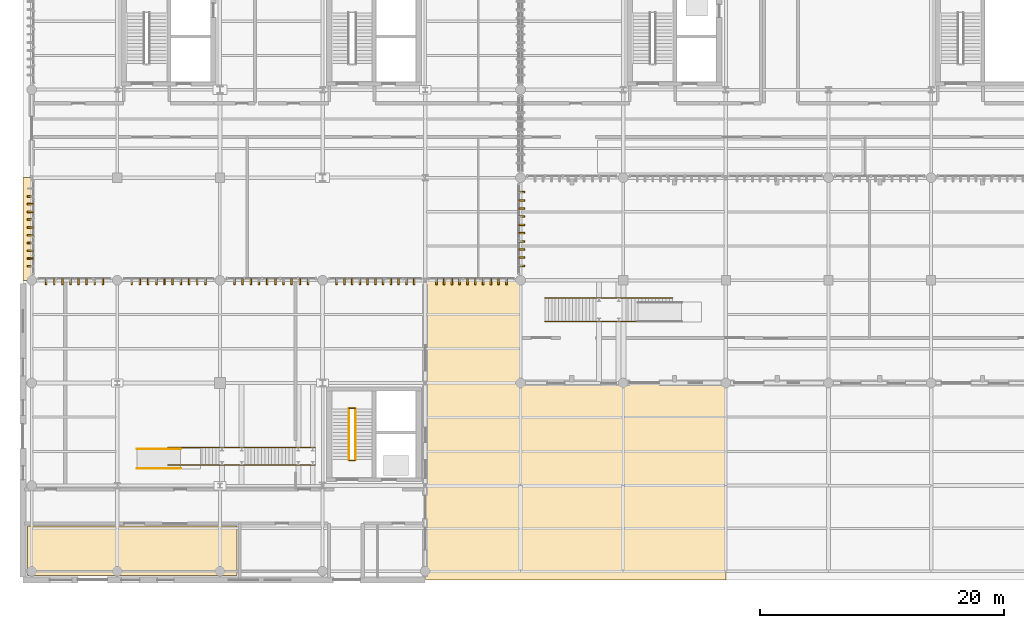
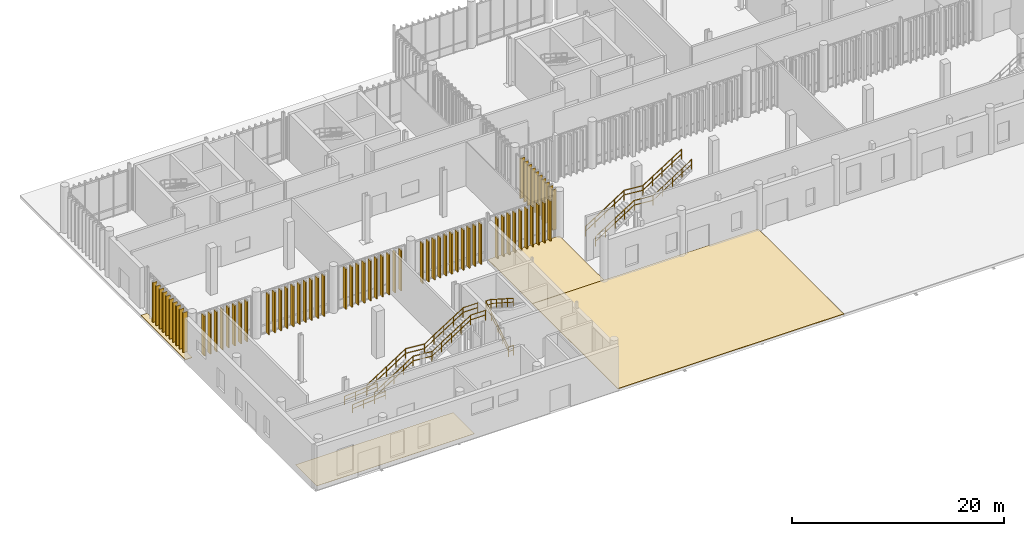
# One storey, part 102 of 112: 73 coverings, 10 railings, 3 elements without a shape of their own.
"""IFC4 building model written with IfcOpenShell, lengths in metres."""

from ifc_helpers import new_model, si_unit, direction, frame, frame_2d, origin_with_axes, origin_2d_with_axis, place, context, subcontext, project, spatial, polyline, rectangle, circle, outline, extrude, material, type_object, element, aggregate, save


model = new_model("IFC4")

# Units and contexts
model_context = context("Model", 3, precision=1e-05, world=origin_with_axes(), true_north=direction((0.0, 1.0)))
body_context = subcontext(model_context, "Body", "Model", "MODEL_VIEW")
ifc_project = project(units=[si_unit("LENGTHUNIT", "METRE"), si_unit("AREAUNIT", "SQUARE_METRE"), si_unit("VOLUMEUNIT", "CUBIC_METRE"), si_unit("PLANEANGLEUNIT", "RADIAN"), si_unit("MASSUNIT", "GRAM", prefix="KILO"), si_unit("THERMODYNAMICTEMPERATUREUNIT", "KELVIN")], contexts=[model_context])

# Site, building, storey
site_placement = place(None, origin_with_axes())
site = spatial("IfcSite", under=ifc_project, at=site_placement, CompositionType="ELEMENT")
building_placement = place(site_placement, origin_with_axes())
building = spatial("IfcBuilding", under=site, at=building_placement, Name="Montbau Bow Law Courts", CompositionType="ELEMENT")
storey_placement = place(building_placement, origin_with_axes())
storey = spatial("IfcBuildingStorey", under=building, at=storey_placement, Name="L00", CompositionType="ELEMENT", Elevation=0.0)

# Coverings
ifc_material_1 = material(Name="Honed Manitoba Tyndall Limestone Concourse Flooring", Category="masonry")
covering_type_1 = type_object("IfcCoveringType", Name="CV-FLR-01", PredefinedType="FLOORING", material=ifc_material_1)
covering_1_placement = place(None, origin_with_axes())
element("IfcCovering", 1, at=covering_1_placement, inside=storey, type_object=covering_type_1, Name="FLR-L00-01:cov_3536", PredefinedType="FLOORING", context=body_context, shape_type="SweptSolid", body=[
    extrude(outline(polyline([(6.45, 6.45), (6.45, 10.49), (23.599, 10.49), (23.599, 6.45), (6.45, 6.45)])), origin_with_axes(), (0.0, 0.0, 1.0), 0.025),
])
ifc_material_2 = material(Name="Freeze-Thaw Glazed Terracotta-Red Ceramic Vertical Louvre", Category="masonry")
covering_type_2 = type_object("IfcCoveringType", Name="CV-LVR-RED", PredefinedType="CLADDING", material=ifc_material_2)
for number, where, z_axis, x_axis, name in (
    (2, (7.978, 30.73, 0.0), (-1.0, 0.0, 0.0), (0.0, -1.0, 0.0), "CLV-L00-0001:cov_0046"),
    (3, (8.642, 30.73, 0.0), (-1.0, 0.0, 0.0), (0.0, -1.0, 0.0), "CLV-L00-0002:cov_0047"),
    (4, (9.305, 30.73, 0.0), (-1.0, 0.0, 0.0), (0.0, -1.0, 0.0), "CLV-L00-0003:cov_0048"),
    (5, (9.968, 30.73, 0.0), (-1.0, 0.0, 0.0), (0.0, -1.0, 0.0), "CLV-L00-0004:cov_0049"),
    (6, (10.632, 30.73, 0.0), (-1.0, 0.0, 0.0), (0.0, -1.0, 0.0), "CLV-L00-0005:cov_0050"),
    (7, (11.295, 30.73, 0.0), (-1.0, 0.0, 0.0), (0.0, -1.0, 0.0), "CLV-L00-0006:cov_0051"),
    (8, (11.958, 30.73, 0.0), (-1.0, 0.0, 0.0), (0.0, -1.0, 0.0), "CLV-L00-0007:cov_0052"),
    (9, (12.622, 30.73, 0.0), (-1.0, 0.0, 0.0), (0.0, -1.0, 0.0), "CLV-L00-0008:cov_0053"),
    (10, (14.985, 30.73, 0.0), (-1.0, 0.0, 0.0), (0.0, -1.0, 0.0), "CLV-L00-0009:cov_0054"),
    (11, (15.655, 30.73, 0.0), (-1.0, 0.0, 0.0), (0.0, -1.0, 0.0), "CLV-L00-0010:cov_0055"),
    (12, (16.325, 30.73, 0.0), (-1.0, 0.0, 0.0), (0.0, -1.0, 0.0), "CLV-L00-0011:cov_0056"),
    (13, (16.995, 30.73, 0.0), (-1.0, 0.0, 0.0), (0.0, -1.0, 0.0), "CLV-L00-0012:cov_0057"),
    (14, (17.665, 30.73, 0.0), (-1.0, 0.0, 0.0), (0.0, -1.0, 0.0), "CLV-L00-0013:cov_0058"),
    (15, (18.335, 30.73, 0.0), (-1.0, 0.0, 0.0), (0.0, -1.0, 0.0), "CLV-L00-0014:cov_0059"),
    (16, (19.005, 30.73, 0.0), (-1.0, 0.0, 0.0), (0.0, -1.0, 0.0), "CLV-L00-0015:cov_0060"),
    (17, (19.675, 30.73, 0.0), (-1.0, 0.0, 0.0), (0.0, -1.0, 0.0), "CLV-L00-0016:cov_0061"),
    (18, (20.345, 30.73, 0.0), (-1.0, 0.0, 0.0), (0.0, -1.0, 0.0), "CLV-L00-0017:cov_0062"),
    (19, (21.015, 30.73, 0.0), (-1.0, 0.0, 0.0), (0.0, -1.0, 0.0), "CLV-L00-0018:cov_0063"),
    (20, (23.385, 30.73, 0.0), (-1.0, 0.0, 0.0), (0.0, -1.0, 0.0), "CLV-L00-0019:cov_0064"),
    (21, (24.055, 30.73, 0.0), (-1.0, 0.0, 0.0), (0.0, -1.0, 0.0), "CLV-L00-0020:cov_0065"),
    (22, (24.725, 30.73, 0.0), (-1.0, 0.0, 0.0), (0.0, -1.0, 0.0), "CLV-L00-0021:cov_0066"),
    (23, (25.395, 30.73, 0.0), (-1.0, 0.0, 0.0), (0.0, -1.0, 0.0), "CLV-L00-0022:cov_0067"),
    (24, (26.065, 30.73, 0.0), (-1.0, 0.0, 0.0), (0.0, -1.0, 0.0), "CLV-L00-0023:cov_0068"),
    (25, (26.735, 30.73, 0.0), (-1.0, 0.0, 0.0), (0.0, -1.0, 0.0), "CLV-L00-0024:cov_0069"),
    (26, (27.405, 30.73, 0.0), (-1.0, 0.0, 0.0), (0.0, -1.0, 0.0), "CLV-L00-0025:cov_0070"),
    (27, (28.075, 30.73, 0.0), (-1.0, 0.0, 0.0), (0.0, -1.0, 0.0), "CLV-L00-0026:cov_0071"),
    (28, (28.745, 30.73, 0.0), (-1.0, 0.0, 0.0), (0.0, -1.0, 0.0), "CLV-L00-0027:cov_0072"),
    (29, (29.415, 30.73, 0.0), (-1.0, 0.0, 0.0), (0.0, -1.0, 0.0), "CLV-L00-0028:cov_0073"),
    (30, (31.75, 30.73, 0.0), (-1.0, 0.0, 0.0), (0.0, -1.0, 0.0), "CLV-L00-0029:cov_0074"),
    (31, (32.385, 30.73, 0.0), (-1.0, 0.0, 0.0), (0.0, -1.0, 0.0), "CLV-L00-0030:cov_0075"),
    (32, (33.019, 30.73, 0.0), (-1.0, 0.0, 0.0), (0.0, -1.0, 0.0), "CLV-L00-0031:cov_0076"),
    (33, (33.654, 30.73, 0.0), (-1.0, 0.0, 0.0), (0.0, -1.0, 0.0), "CLV-L00-0032:cov_0077"),
    (34, (34.289, 30.73, 0.0), (-1.0, 0.0, 0.0), (0.0, -1.0, 0.0), "CLV-L00-0033:cov_0078"),
    (35, (34.924, 30.73, 0.0), (-1.0, 0.0, 0.0), (0.0, -1.0, 0.0), "CLV-L00-0034:cov_0079"),
    (36, (35.558, 30.73, 0.0), (-1.0, 0.0, 0.0), (0.0, -1.0, 0.0), "CLV-L00-0035:cov_0080"),
    (37, (36.193, 30.73, 0.0), (-1.0, 0.0, 0.0), (0.0, -1.0, 0.0), "CLV-L00-0036:cov_0081"),
    (38, (36.828, 30.73, 0.0), (-1.0, 0.0, 0.0), (0.0, -1.0, 0.0), "CLV-L00-0037:cov_0082"),
    (39, (37.463, 30.73, 0.0), (-1.0, 0.0, 0.0), (0.0, -1.0, 0.0), "CLV-L00-0038:cov_0083"),
    (40, (38.097, 30.73, 0.0), (-1.0, 0.0, 0.0), (0.0, -1.0, 0.0), "CLV-L00-0039:cov_0084"),
    (41, (39.906, 30.73, 0.0), (-1.0, 0.0, 0.0), (0.0, -1.0, 0.0), "CLV-L00-0040:cov_0085"),
    (42, (40.544, 30.73, 0.0), (-1.0, 0.0, 0.0), (0.0, -1.0, 0.0), "CLV-L00-0041:cov_0086"),
    (43, (41.182, 30.73, 0.0), (-1.0, 0.0, 0.0), (0.0, -1.0, 0.0), "CLV-L00-0042:cov_0087"),
    (44, (41.82, 30.73, 0.0), (-1.0, 0.0, 0.0), (0.0, -1.0, 0.0), "CLV-L00-0043:cov_0088"),
    (45, (42.458, 30.73, 0.0), (-1.0, 0.0, 0.0), (0.0, -1.0, 0.0), "CLV-L00-0044:cov_0089"),
    (46, (43.095, 30.73, 0.0), (-1.0, 0.0, 0.0), (0.0, -1.0, 0.0), "CLV-L00-0045:cov_0090"),
    (47, (43.733, 30.73, 0.0), (-1.0, 0.0, 0.0), (0.0, -1.0, 0.0), "CLV-L00-0046:cov_0091"),
    (48, (44.371, 30.73, 0.0), (-1.0, 0.0, 0.0), (0.0, -1.0, 0.0), "CLV-L00-0047:cov_0092"),
    (49, (45.009, 30.73, 0.0), (-1.0, 0.0, 0.0), (0.0, -1.0, 0.0), "CLV-L00-0048:cov_0093"),
    (50, (45.647, 30.73, 0.0), (-1.0, 0.0, 0.0), (0.0, -1.0, 0.0), "CLV-L00-0049:cov_0094"),
    (51, (6.93, 31.75, 0.0), (0.0, 1.0, 0.0), (-1.0, 0.0, 0.0), "CLV-L00-0102:cov_0147"),
    (52, (6.93, 32.385, 0.0), (0.0, 1.0, 0.0), (-1.0, 0.0, 0.0), "CLV-L00-0103:cov_0148"),
    (53, (6.93, 33.019, 0.0), (0.0, 1.0, 0.0), (-1.0, 0.0, 0.0), "CLV-L00-0104:cov_0149"),
    (54, (6.93, 33.654, 0.0), (0.0, 1.0, 0.0), (-1.0, 0.0, 0.0), "CLV-L00-0105:cov_0150"),
    (55, (6.93, 34.289, 0.0), (0.0, 1.0, 0.0), (-1.0, 0.0, 0.0), "CLV-L00-0106:cov_0151"),
    (56, (6.93, 34.924, 0.0), (0.0, 1.0, 0.0), (-1.0, 0.0, 0.0), "CLV-L00-0107:cov_0152"),
    (57, (6.93, 35.558, 0.0), (0.0, 1.0, 0.0), (-1.0, 0.0, 0.0), "CLV-L00-0108:cov_0153"),
    (58, (6.93, 36.193, 0.0), (0.0, 1.0, 0.0), (-1.0, 0.0, 0.0), "CLV-L00-0109:cov_0154"),
    (59, (6.93, 36.828, 0.0), (0.0, 1.0, 0.0), (-1.0, 0.0, 0.0), "CLV-L00-0110:cov_0155"),
    (60, (6.93, 37.463, 0.0), (0.0, 1.0, 0.0), (-1.0, 0.0, 0.0), "CLV-L00-0111:cov_0156"),
    (61, (46.67, 31.785, 0.0), (0.0, -1.0, 0.0), (1.0, 0.0, 0.0), "CLV-L00-0123:cov_0168"),
    (62, (46.67, 32.455, 0.0), (0.0, -1.0, 0.0), (1.0, 0.0, 0.0), "CLV-L00-0124:cov_0169"),
    (63, (46.67, 33.125, 0.0), (0.0, -1.0, 0.0), (1.0, 0.0, 0.0), "CLV-L00-0125:cov_0170"),
    (64, (46.67, 33.795, 0.0), (0.0, -1.0, 0.0), (1.0, 0.0, 0.0), "CLV-L00-0126:cov_0171"),
    (65, (46.67, 34.465, 0.0), (0.0, -1.0, 0.0), (1.0, 0.0, 0.0), "CLV-L00-0127:cov_0172"),
    (66, (46.67, 35.135, 0.0), (0.0, -1.0, 0.0), (1.0, 0.0, 0.0), "CLV-L00-0128:cov_0173"),
    (67, (46.67, 35.805, 0.0), (0.0, -1.0, 0.0), (1.0, 0.0, 0.0), "CLV-L00-0129:cov_0174"),
    (68, (46.67, 36.475, 0.0), (0.0, -1.0, 0.0), (1.0, 0.0, 0.0), "CLV-L00-0130:cov_0175"),
    (69, (46.67, 37.145, 0.0), (0.0, -1.0, 0.0), (1.0, 0.0, 0.0), "CLV-L00-0131:cov_0176"),
    (70, (46.67, 37.815, 0.0), (0.0, -1.0, 0.0), (1.0, 0.0, 0.0), "CLV-L00-0132:cov_0177"),
):
    element("IfcCovering", number, at=place(None, frame(where, z_axis=z_axis, x_axis=x_axis)), inside=storey, type_object=covering_type_2, Name=name, PredefinedType="CLADDING", context=body_context, shape_type="SweptSolid", body=[
        extrude(rectangle(XDim=0.48, YDim=4.64, at=frame_2d((0.24, 2.32), x_axis=(1.0, 0.0))), frame((0.0, 0.0, -0.06), z_axis=(0.0, 0.0, 1.0), x_axis=(1.0, 0.0, 0.0)), (0.0, 0.0, 1.0), 0.12),
    ])

# Roof, covering
ifc_material_3 = material(Name="Insulated Inverted Membrane Roof", Category="other")
roof_type = type_object("IfcRoofType", Name="RF-FL-01", PredefinedType="FLAT_ROOF", material=ifc_material_3)
roof_1_placement = place(None, frame((39.004, 6.08, 0.0), z_axis=(0.0, 0.0, 1.0), x_axis=(1.0, 0.0, 0.0)))
roof_1 = element("IfcRoof", 71, at=roof_1_placement, inside=storey, type_object=roof_type, Name="ROOF-LID-L00-01:rof_0006", PredefinedType="FLAT_ROOF")
ifc_material_4 = material(Name="Standing-Seam Pre-Weathered Zinc Roofing Membrane", Category="steel")
covering_type_3 = type_object("IfcCoveringType", Name="CV-ROF-01", PredefinedType="ROOFING", material=ifc_material_4)
covering_2_placement = place(None, origin_with_axes())
covering_2 = element("IfcCovering", 72, at=covering_2_placement, type_object=covering_type_3, Name="CVR-LID-L00-01:cov_0006", PredefinedType="ROOFING", context=body_context, shape_type="SweptSolid", body=[
    extrude(outline(polyline([(39.004, 22.196), (63.596, 22.196), (63.596, 6.08), (39.004, 6.08), (39.004, 22.196)])), origin_with_axes(), (0.0, 0.0, 1.0), 0.06),
])
aggregate(roof_1, [covering_2])

roof_2_placement = place(None, frame((39.004, 22.204, 0.0), z_axis=(0.0, 0.0, 1.0), x_axis=(1.0, 0.0, 0.0)))
roof_2 = element("IfcRoof", 73, at=roof_2_placement, inside=storey, type_object=roof_type, Name="ROOF-LID-L00-04:rof_0009", PredefinedType="FLAT_ROOF")
covering_3_placement = place(None, origin_with_axes())
covering_3 = element("IfcCovering", 74, at=covering_3_placement, type_object=covering_type_3, Name="CVR-LID-L00-04:cov_0009", PredefinedType="ROOFING", context=body_context, shape_type="SweptSolid", body=[
    extrude(outline(polyline([(39.004, 30.596), (46.796, 30.596), (46.796, 22.204), (39.004, 22.204), (39.004, 30.596)])), origin_with_axes(), (0.0, 0.0, 1.0), 0.06),
])
aggregate(roof_2, [covering_3])

roof_3_placement = place(None, frame((6.08, 30.604, 0.0), z_axis=(0.0, 0.0, 1.0), x_axis=(1.0, 0.0, 0.0)))
roof_3 = element("IfcRoof", 75, at=roof_3_placement, inside=storey, type_object=roof_type, Name="ROOF-LID-L00-05:rof_0010", PredefinedType="FLAT_ROOF")
covering_4_placement = place(None, origin_with_axes())
covering_4 = element("IfcCovering", 76, at=covering_4_placement, type_object=covering_type_3, Name="CVR-LID-L00-05:cov_0010", PredefinedType="ROOFING", context=body_context, shape_type="SweptSolid", body=[
    extrude(outline(polyline([(6.796, 30.604), (6.08, 30.604), (6.08, 38.996), (6.796, 38.996), (6.796, 30.604)])), origin_with_axes(), (0.0, 0.0, 1.0), 0.06),
])
aggregate(roof_3, [covering_4])

# Railings
ifc_material_5 = material(Name="Architectural Bronze-Finished Steel Stair Guard", Category="steel")
railing_type_1 = type_object("IfcRailingType", Name="RL-GRD-1100", PredefinedType="GUARDRAIL", material=ifc_material_5)
railing_1_placement = place(None, origin_with_axes())
element("IfcRailing", 77, at=railing_1_placement, inside=storey, type_object=railing_type_1, Name="SG-ST-CER1-L00-ML:rlg_0267", PredefinedType="GUARDRAIL", context=body_context, shape_type="SweptSolid", body=[
    extrude(circle(Radius=0.0225, at=origin_2d_with_axis()), frame((32.745, 20.13, 3.802), z_axis=(1.0, 0.0, 0.0), x_axis=(0.0, 0.0, 1.0)), (0.0, 0.0, 1.0), 0.535),
    extrude(circle(Radius=0.02025, at=origin_2d_with_axis()), frame((32.745, 20.13, 3.272), z_axis=(1.0, 0.0, 0.0), x_axis=(0.0, 0.0, 1.0)), (0.0, 0.0, 1.0), 0.535),
    extrude(circle(Radius=0.02025, at=origin_2d_with_axis()), frame((32.745, 20.13, 2.7), z_axis=(0.0, 0.0, 1.0), x_axis=(1.0, 0.0, 0.0)), (0.0, 0.0, 1.0), 1.07525),
    extrude(circle(Radius=0.02025, at=origin_2d_with_axis()), frame((33.28, 20.13, 2.7), z_axis=(0.0, 0.0, 1.0), x_axis=(1.0, 0.0, 0.0)), (0.0, 0.0, 1.0), 1.07525),
])
railing_2_placement = place(None, origin_with_axes())
element("IfcRailing", 78, at=railing_2_placement, inside=storey, type_object=railing_type_1, Name="SG-ST-CER1-L00-BL:rlg_0268", PredefinedType="GUARDRAIL", context=body_context, shape_type="SweptSolid", body=[
    extrude(circle(Radius=0.0225, at=origin_2d_with_axis()), frame((32.745, 15.87, 1.102), z_axis=(1.0, 0.0, 0.0), x_axis=(0.0, 0.0, 1.0)), (0.0, 0.0, 1.0), 0.535),
    extrude(circle(Radius=0.02025, at=origin_2d_with_axis()), frame((32.745, 15.87, 0.572), z_axis=(1.0, 0.0, 0.0), x_axis=(0.0, 0.0, 1.0)), (0.0, 0.0, 1.0), 0.535),
    extrude(circle(Radius=0.02025, at=origin_2d_with_axis()), frame((32.745, 15.87, 0.0), z_axis=(0.0, 0.0, 1.0), x_axis=(1.0, 0.0, 0.0)), (0.0, 0.0, 1.0), 1.07525),
    extrude(circle(Radius=0.02025, at=origin_2d_with_axis()), frame((33.28, 15.87, 0.0), z_axis=(0.0, 0.0, 1.0), x_axis=(1.0, 0.0, 0.0)), (0.0, 0.0, 1.0), 1.07525),
])
railing_3_placement = place(None, origin_with_axes())
element("IfcRailing", 79, at=railing_3_placement, inside=storey, type_object=railing_type_1, Name="SG-ST-GRD-01-S:rlg_0271", PredefinedType="GUARDRAIL", context=body_context, shape_type="SweptSolid", body=[
    extrude(circle(Radius=0.0225, at=origin_2d_with_axis()), frame((48.8, 27.24, 1.282), z_axis=(0.841178475, 0.0, 0.540757591), x_axis=(-0.540757591, 0.0, 0.841178475)), (0.0, 0.0, 1.0), 4.963745),
    extrude(circle(Radius=0.02025, at=origin_2d_with_axis()), frame((48.8, 27.24, 0.752), z_axis=(0.841178475, 0.0, 0.540757591), x_axis=(-0.540757591, 0.0, 0.841178475)), (0.0, 0.0, 1.0), 4.963745),
    extrude(circle(Radius=0.02025, at=origin_2d_with_axis()), frame((48.8, 27.24, 0.18), z_axis=(0.0, 0.0, 1.0), x_axis=(1.0, 0.0, 0.0)), (0.0, 0.0, 1.0), 1.07525),
    extrude(circle(Radius=0.02025, at=origin_2d_with_axis()), frame((49.85, 27.24, 0.855), z_axis=(0.0, 0.0, 1.0), x_axis=(1.0, 0.0, 0.0)), (0.0, 0.0, 1.0), 1.07525),
    extrude(circle(Radius=0.02025, at=origin_2d_with_axis()), frame((50.9, 27.24, 1.53), z_axis=(0.0, 0.0, 1.0), x_axis=(1.0, 0.0, 0.0)), (0.0, 0.0, 1.0), 1.07525),
    extrude(circle(Radius=0.02025, at=origin_2d_with_axis()), frame((51.95, 27.24, 2.205), z_axis=(0.0, 0.0, 1.0), x_axis=(1.0, 0.0, 0.0)), (0.0, 0.0, 1.0), 1.07525),
    extrude(circle(Radius=0.02025, at=origin_2d_with_axis()), frame((53.0, 27.24, 2.88), z_axis=(0.0, 0.0, 1.0), x_axis=(1.0, 0.0, 0.0)), (0.0, 0.0, 1.0), 1.07525),
    extrude(circle(Radius=0.0225, at=origin_2d_with_axis()), frame((53.029138, 27.24, 3.979442), z_axis=(0.996167299, 0.0, -0.087468348), x_axis=(0.087468348, 0.0, 0.996167299)), (0.0, 0.0, 1.0), 1.999387),
    extrude(circle(Radius=0.02025, at=origin_2d_with_axis()), frame((53.029138, 27.24, 3.449442), z_axis=(0.996167299, 0.0, -0.087468348), x_axis=(0.087468348, 0.0, 0.996167299)), (0.0, 0.0, 1.0), 1.999387),
    extrude(circle(Radius=0.02025, at=origin_2d_with_axis()), frame((55.05, 27.24, 2.7), z_axis=(0.0, 0.0, 1.0), x_axis=(1.0, 0.0, 0.0)), (0.0, 0.0, 1.0), 1.07525),
    extrude(circle(Radius=0.0225, at=origin_2d_with_axis()), frame((55.074604, 27.24, 3.817817), z_axis=(0.841178475, 0.0, 0.540757591), x_axis=(-0.540757591, 0.0, 0.841178475)), (0.0, 0.0, 1.0), 4.963745),
    extrude(circle(Radius=0.02025, at=origin_2d_with_axis()), frame((55.074604, 27.24, 3.287817), z_axis=(0.841178475, 0.0, 0.540757591), x_axis=(-0.540757591, 0.0, 0.841178475)), (0.0, 0.0, 1.0), 4.963745),
    extrude(circle(Radius=0.02025, at=origin_2d_with_axis()), frame((56.1, 27.24, 3.375), z_axis=(0.0, 0.0, 1.0), x_axis=(1.0, 0.0, 0.0)), (0.0, 0.0, 1.0), 1.07525),
    extrude(circle(Radius=0.02025, at=origin_2d_with_axis()), frame((57.15, 27.24, 4.05), z_axis=(0.0, 0.0, 1.0), x_axis=(1.0, 0.0, 0.0)), (0.0, 0.0, 1.0), 1.07525),
    extrude(circle(Radius=0.02025, at=origin_2d_with_axis()), frame((58.2, 27.24, 4.725), z_axis=(0.0, 0.0, 1.0), x_axis=(1.0, 0.0, 0.0)), (0.0, 0.0, 1.0), 1.07525),
    extrude(circle(Radius=0.02025, at=origin_2d_with_axis()), frame((59.25, 27.24, 5.4), z_axis=(0.0, 0.0, 1.0), x_axis=(1.0, 0.0, 0.0)), (0.0, 0.0, 1.0), 1.07525),
])
railing_4_placement = place(None, origin_with_axes())
element("IfcRailing", 80, at=railing_4_placement, inside=storey, type_object=railing_type_1, Name="SG-ST-GRD-01-N:rlg_0272", PredefinedType="GUARDRAIL", context=body_context, shape_type="SweptSolid", body=[
    extrude(circle(Radius=0.0225, at=origin_2d_with_axis()), frame((48.8, 29.16, 1.282), z_axis=(0.841178475, 0.0, 0.540757591), x_axis=(-0.540757591, 0.0, 0.841178475)), (0.0, 0.0, 1.0), 4.963745),
    extrude(circle(Radius=0.02025, at=origin_2d_with_axis()), frame((48.8, 29.16, 0.752), z_axis=(0.841178475, 0.0, 0.540757591), x_axis=(-0.540757591, 0.0, 0.841178475)), (0.0, 0.0, 1.0), 4.963745),
    extrude(circle(Radius=0.02025, at=origin_2d_with_axis()), frame((48.8, 29.16, 0.18), z_axis=(0.0, 0.0, 1.0), x_axis=(1.0, 0.0, 0.0)), (0.0, 0.0, 1.0), 1.07525),
    extrude(circle(Radius=0.02025, at=origin_2d_with_axis()), frame((49.85, 29.16, 0.855), z_axis=(0.0, 0.0, 1.0), x_axis=(1.0, 0.0, 0.0)), (0.0, 0.0, 1.0), 1.07525),
    extrude(circle(Radius=0.02025, at=origin_2d_with_axis()), frame((50.9, 29.16, 1.53), z_axis=(0.0, 0.0, 1.0), x_axis=(1.0, 0.0, 0.0)), (0.0, 0.0, 1.0), 1.07525),
    extrude(circle(Radius=0.02025, at=origin_2d_with_axis()), frame((51.95, 29.16, 2.205), z_axis=(0.0, 0.0, 1.0), x_axis=(1.0, 0.0, 0.0)), (0.0, 0.0, 1.0), 1.07525),
    extrude(circle(Radius=0.02025, at=origin_2d_with_axis()), frame((53.0, 29.16, 2.88), z_axis=(0.0, 0.0, 1.0), x_axis=(1.0, 0.0, 0.0)), (0.0, 0.0, 1.0), 1.07525),
    extrude(circle(Radius=0.0225, at=origin_2d_with_axis()), frame((53.029138, 29.16, 3.979442), z_axis=(0.996167299, 0.0, -0.087468348), x_axis=(0.087468348, 0.0, 0.996167299)), (0.0, 0.0, 1.0), 1.999387),
    extrude(circle(Radius=0.02025, at=origin_2d_with_axis()), frame((53.029138, 29.16, 3.449442), z_axis=(0.996167299, 0.0, -0.087468348), x_axis=(0.087468348, 0.0, 0.996167299)), (0.0, 0.0, 1.0), 1.999387),
    extrude(circle(Radius=0.02025, at=origin_2d_with_axis()), frame((55.05, 29.16, 2.7), z_axis=(0.0, 0.0, 1.0), x_axis=(1.0, 0.0, 0.0)), (0.0, 0.0, 1.0), 1.07525),
    extrude(circle(Radius=0.0225, at=origin_2d_with_axis()), frame((55.074604, 29.16, 3.817817), z_axis=(0.841178475, 0.0, 0.540757591), x_axis=(-0.540757591, 0.0, 0.841178475)), (0.0, 0.0, 1.0), 4.963745),
    extrude(circle(Radius=0.02025, at=origin_2d_with_axis()), frame((55.074604, 29.16, 3.287817), z_axis=(0.841178475, 0.0, 0.540757591), x_axis=(-0.540757591, 0.0, 0.841178475)), (0.0, 0.0, 1.0), 4.963745),
    extrude(circle(Radius=0.02025, at=origin_2d_with_axis()), frame((56.1, 29.16, 3.375), z_axis=(0.0, 0.0, 1.0), x_axis=(1.0, 0.0, 0.0)), (0.0, 0.0, 1.0), 1.07525),
    extrude(circle(Radius=0.02025, at=origin_2d_with_axis()), frame((57.15, 29.16, 4.05), z_axis=(0.0, 0.0, 1.0), x_axis=(1.0, 0.0, 0.0)), (0.0, 0.0, 1.0), 1.07525),
    extrude(circle(Radius=0.02025, at=origin_2d_with_axis()), frame((58.2, 29.16, 4.725), z_axis=(0.0, 0.0, 1.0), x_axis=(1.0, 0.0, 0.0)), (0.0, 0.0, 1.0), 1.07525),
    extrude(circle(Radius=0.02025, at=origin_2d_with_axis()), frame((59.25, 29.16, 5.4), z_axis=(0.0, 0.0, 1.0), x_axis=(1.0, 0.0, 0.0)), (0.0, 0.0, 1.0), 1.07525),
])
railing_5_placement = place(None, origin_with_axes())
element("IfcRailing", 81, at=railing_5_placement, inside=storey, type_object=railing_type_1, Name="SG-ST-CER-02-S:rlg_0279", PredefinedType="GUARDRAIL", context=body_context, shape_type="SweptSolid", body=[
    extrude(circle(Radius=0.0225, at=origin_2d_with_axis()), frame((17.95, 15.49, 1.282), z_axis=(0.841178475, 0.0, 0.540757591), x_axis=(-0.540757591, 0.0, 0.841178475)), (0.0, 0.0, 1.0), 4.963745),
    extrude(circle(Radius=0.02025, at=origin_2d_with_axis()), frame((17.95, 15.49, 0.752), z_axis=(0.841178475, 0.0, 0.540757591), x_axis=(-0.540757591, 0.0, 0.841178475)), (0.0, 0.0, 1.0), 4.963745),
    extrude(circle(Radius=0.02025, at=origin_2d_with_axis()), frame((17.95, 15.49, 0.18), z_axis=(0.0, 0.0, 1.0), x_axis=(1.0, 0.0, 0.0)), (0.0, 0.0, 1.0), 1.07525),
    extrude(circle(Radius=0.02025, at=origin_2d_with_axis()), frame((19.0, 15.49, 0.855), z_axis=(0.0, 0.0, 1.0), x_axis=(1.0, 0.0, 0.0)), (0.0, 0.0, 1.0), 1.07525),
    extrude(circle(Radius=0.02025, at=origin_2d_with_axis()), frame((20.05, 15.49, 1.53), z_axis=(0.0, 0.0, 1.0), x_axis=(1.0, 0.0, 0.0)), (0.0, 0.0, 1.0), 1.07525),
    extrude(circle(Radius=0.02025, at=origin_2d_with_axis()), frame((21.1, 15.49, 2.205), z_axis=(0.0, 0.0, 1.0), x_axis=(1.0, 0.0, 0.0)), (0.0, 0.0, 1.0), 1.07525),
    extrude(circle(Radius=0.02025, at=origin_2d_with_axis()), frame((22.15, 15.49, 2.88), z_axis=(0.0, 0.0, 1.0), x_axis=(1.0, 0.0, 0.0)), (0.0, 0.0, 1.0), 1.07525),
    extrude(circle(Radius=0.0225, at=origin_2d_with_axis()), frame((22.179138, 15.49, 3.979442), z_axis=(0.996167299, 0.0, -0.087468348), x_axis=(0.087468348, 0.0, 0.996167299)), (0.0, 0.0, 1.0), 1.999387),
    extrude(circle(Radius=0.02025, at=origin_2d_with_axis()), frame((22.179138, 15.49, 3.449442), z_axis=(0.996167299, 0.0, -0.087468348), x_axis=(0.087468348, 0.0, 0.996167299)), (0.0, 0.0, 1.0), 1.999387),
    extrude(circle(Radius=0.02025, at=origin_2d_with_axis()), frame((24.2, 15.49, 2.7), z_axis=(0.0, 0.0, 1.0), x_axis=(1.0, 0.0, 0.0)), (0.0, 0.0, 1.0), 1.07525),
    extrude(circle(Radius=0.0225, at=origin_2d_with_axis()), frame((24.224604, 15.49, 3.817817), z_axis=(0.841178475, 0.0, 0.540757591), x_axis=(-0.540757591, 0.0, 0.841178475)), (0.0, 0.0, 1.0), 4.934495),
    extrude(circle(Radius=0.02025, at=origin_2d_with_axis()), frame((24.224604, 15.49, 3.287817), z_axis=(0.841178475, 0.0, 0.540757591), x_axis=(-0.540757591, 0.0, 0.841178475)), (0.0, 0.0, 1.0), 4.934495),
    extrude(circle(Radius=0.02025, at=origin_2d_with_axis()), frame((25.25, 15.49, 3.375), z_axis=(0.0, 0.0, 1.0), x_axis=(1.0, 0.0, 0.0)), (0.0, 0.0, 1.0), 1.07525),
    extrude(circle(Radius=0.02025, at=origin_2d_with_axis()), frame((26.3, 15.49, 4.05), z_axis=(0.0, 0.0, 1.0), x_axis=(1.0, 0.0, 0.0)), (0.0, 0.0, 1.0), 1.07525),
    extrude(circle(Radius=0.02025, at=origin_2d_with_axis()), frame((27.35, 15.49, 4.725), z_axis=(0.0, 0.0, 1.0), x_axis=(1.0, 0.0, 0.0)), (0.0, 0.0, 1.0), 1.07525),
    extrude(circle(Radius=0.02025, at=origin_2d_with_axis()), frame((28.4, 15.49, 5.4), z_axis=(0.0, 0.0, 1.0), x_axis=(1.0, 0.0, 0.0)), (0.0, 0.0, 1.0), 1.07525),
    extrude(circle(Radius=0.0225, at=origin_2d_with_axis()), frame((28.42925, 15.49, 6.502), z_axis=(1.0, 0.0, 0.0), x_axis=(0.0, 0.0, 1.0)), (0.0, 0.0, 1.0), 1.57075),
    extrude(circle(Radius=0.02025, at=origin_2d_with_axis()), frame((28.42925, 15.49, 5.972), z_axis=(1.0, 0.0, 0.0), x_axis=(0.0, 0.0, 1.0)), (0.0, 0.0, 1.0), 1.57075),
    extrude(circle(Radius=0.02025, at=origin_2d_with_axis()), frame((30.0, 15.49, 5.4), z_axis=(0.0, 0.0, 1.0), x_axis=(1.0, 0.0, 0.0)), (0.0, 0.0, 1.0), 1.07525),
])
railing_6_placement = place(None, origin_with_axes())
element("IfcRailing", 82, at=railing_6_placement, inside=storey, type_object=railing_type_1, Name="SG-ST-CER-02-N:rlg_0280", PredefinedType="GUARDRAIL", context=body_context, shape_type="SweptSolid", body=[
    extrude(circle(Radius=0.0225, at=origin_2d_with_axis()), frame((17.95, 16.91, 1.282), z_axis=(0.841178475, 0.0, 0.540757591), x_axis=(-0.540757591, 0.0, 0.841178475)), (0.0, 0.0, 1.0), 4.963745),
    extrude(circle(Radius=0.02025, at=origin_2d_with_axis()), frame((17.95, 16.91, 0.752), z_axis=(0.841178475, 0.0, 0.540757591), x_axis=(-0.540757591, 0.0, 0.841178475)), (0.0, 0.0, 1.0), 4.963745),
    extrude(circle(Radius=0.02025, at=origin_2d_with_axis()), frame((17.95, 16.91, 0.18), z_axis=(0.0, 0.0, 1.0), x_axis=(1.0, 0.0, 0.0)), (0.0, 0.0, 1.0), 1.07525),
    extrude(circle(Radius=0.02025, at=origin_2d_with_axis()), frame((19.0, 16.91, 0.855), z_axis=(0.0, 0.0, 1.0), x_axis=(1.0, 0.0, 0.0)), (0.0, 0.0, 1.0), 1.07525),
    extrude(circle(Radius=0.02025, at=origin_2d_with_axis()), frame((20.05, 16.91, 1.53), z_axis=(0.0, 0.0, 1.0), x_axis=(1.0, 0.0, 0.0)), (0.0, 0.0, 1.0), 1.07525),
    extrude(circle(Radius=0.02025, at=origin_2d_with_axis()), frame((21.1, 16.91, 2.205), z_axis=(0.0, 0.0, 1.0), x_axis=(1.0, 0.0, 0.0)), (0.0, 0.0, 1.0), 1.07525),
    extrude(circle(Radius=0.02025, at=origin_2d_with_axis()), frame((22.15, 16.91, 2.88), z_axis=(0.0, 0.0, 1.0), x_axis=(1.0, 0.0, 0.0)), (0.0, 0.0, 1.0), 1.07525),
    extrude(circle(Radius=0.0225, at=origin_2d_with_axis()), frame((22.179138, 16.91, 3.979442), z_axis=(0.996167299, 0.0, -0.087468348), x_axis=(0.087468348, 0.0, 0.996167299)), (0.0, 0.0, 1.0), 1.999387),
    extrude(circle(Radius=0.02025, at=origin_2d_with_axis()), frame((22.179138, 16.91, 3.449442), z_axis=(0.996167299, 0.0, -0.087468348), x_axis=(0.087468348, 0.0, 0.996167299)), (0.0, 0.0, 1.0), 1.999387),
    extrude(circle(Radius=0.02025, at=origin_2d_with_axis()), frame((24.2, 16.91, 2.7), z_axis=(0.0, 0.0, 1.0), x_axis=(1.0, 0.0, 0.0)), (0.0, 0.0, 1.0), 1.07525),
    extrude(circle(Radius=0.0225, at=origin_2d_with_axis()), frame((24.224604, 16.91, 3.817817), z_axis=(0.841178475, 0.0, 0.540757591), x_axis=(-0.540757591, 0.0, 0.841178475)), (0.0, 0.0, 1.0), 4.934495),
    extrude(circle(Radius=0.02025, at=origin_2d_with_axis()), frame((24.224604, 16.91, 3.287817), z_axis=(0.841178475, 0.0, 0.540757591), x_axis=(-0.540757591, 0.0, 0.841178475)), (0.0, 0.0, 1.0), 4.934495),
    extrude(circle(Radius=0.02025, at=origin_2d_with_axis()), frame((25.25, 16.91, 3.375), z_axis=(0.0, 0.0, 1.0), x_axis=(1.0, 0.0, 0.0)), (0.0, 0.0, 1.0), 1.07525),
    extrude(circle(Radius=0.02025, at=origin_2d_with_axis()), frame((26.3, 16.91, 4.05), z_axis=(0.0, 0.0, 1.0), x_axis=(1.0, 0.0, 0.0)), (0.0, 0.0, 1.0), 1.07525),
    extrude(circle(Radius=0.02025, at=origin_2d_with_axis()), frame((27.35, 16.91, 4.725), z_axis=(0.0, 0.0, 1.0), x_axis=(1.0, 0.0, 0.0)), (0.0, 0.0, 1.0), 1.07525),
    extrude(circle(Radius=0.02025, at=origin_2d_with_axis()), frame((28.4, 16.91, 5.4), z_axis=(0.0, 0.0, 1.0), x_axis=(1.0, 0.0, 0.0)), (0.0, 0.0, 1.0), 1.07525),
    extrude(circle(Radius=0.0225, at=origin_2d_with_axis()), frame((28.42925, 16.91, 6.502), z_axis=(1.0, 0.0, 0.0), x_axis=(0.0, 0.0, 1.0)), (0.0, 0.0, 1.0), 1.57075),
    extrude(circle(Radius=0.02025, at=origin_2d_with_axis()), frame((28.42925, 16.91, 5.972), z_axis=(1.0, 0.0, 0.0), x_axis=(0.0, 0.0, 1.0)), (0.0, 0.0, 1.0), 1.57075),
    extrude(circle(Radius=0.02025, at=origin_2d_with_axis()), frame((30.0, 16.91, 5.4), z_axis=(0.0, 0.0, 1.0), x_axis=(1.0, 0.0, 0.0)), (0.0, 0.0, 1.0), 1.07525),
])
ifc_material_6 = material(Name="White-Oak and Stainless Continuous Stair Handrail", Category="steel")
railing_type_2 = type_object("IfcRailingType", Name="RL-HND-0920", PredefinedType="HANDRAIL", material=ifc_material_6)
railing_7_placement = place(None, origin_with_axes())
element("IfcRailing", 83, at=railing_7_placement, inside=storey, type_object=railing_type_2, Name="HR-ST-CER1-L00-1:rlg_0269", PredefinedType="HANDRAIL", context=body_context, shape_type="SweptSolid", body=[
    extrude(circle(Radius=0.021, at=origin_2d_with_axis()), frame((32.745, 15.9, 1.102), z_axis=(0.0, 0.841178475, 0.540757591), x_axis=(0.0, -0.540757591, 0.841178475)), (0.0, 0.0, 1.0), 4.992995),
    extrude(circle(Radius=0.0189, at=origin_2d_with_axis()), frame((32.745, 15.9, 0.6584), z_axis=(0.0, 0.841178475, 0.540757591), x_axis=(0.0, -0.540757591, 0.841178475)), (0.0, 0.0, 1.0), 4.992995),
    extrude(circle(Radius=0.0189, at=origin_2d_with_axis()), frame((32.745, 15.9, 0.18), z_axis=(0.0, 0.0, 1.0), x_axis=(1.0, 0.0, 0.0)), (0.0, 0.0, 1.0), 0.8969),
    extrude(circle(Radius=0.0189, at=origin_2d_with_axis()), frame((32.745, 16.95, 0.855), z_axis=(0.0, 0.0, 1.0), x_axis=(1.0, 0.0, 0.0)), (0.0, 0.0, 1.0), 0.8969),
    extrude(circle(Radius=0.0189, at=origin_2d_with_axis()), frame((32.745, 18.0, 1.53), z_axis=(0.0, 0.0, 1.0), x_axis=(1.0, 0.0, 0.0)), (0.0, 0.0, 1.0), 0.8969),
    extrude(circle(Radius=0.0189, at=origin_2d_with_axis()), frame((32.745, 19.05, 2.205), z_axis=(0.0, 0.0, 1.0), x_axis=(1.0, 0.0, 0.0)), (0.0, 0.0, 1.0), 0.8969),
    extrude(circle(Radius=0.0189, at=origin_2d_with_axis()), frame((32.745, 20.1, 2.88), z_axis=(0.0, 0.0, 1.0), x_axis=(1.0, 0.0, 0.0)), (0.0, 0.0, 1.0), 0.8969),
])
railing_8_placement = place(None, origin_with_axes())
element("IfcRailing", 84, at=railing_8_placement, inside=storey, type_object=railing_type_2, Name="HR-ST-CER1-L00-2:rlg_0270", PredefinedType="HANDRAIL", context=body_context, shape_type="SweptSolid", body=[
    extrude(circle(Radius=0.021, at=origin_2d_with_axis()), frame((33.28, 20.1, 3.802), z_axis=(0.0, -0.841178475, 0.540757591), x_axis=(0.0, 0.540757591, 0.841178475)), (0.0, 0.0, 1.0), 4.992995),
    extrude(circle(Radius=0.0189, at=origin_2d_with_axis()), frame((33.28, 20.1, 3.3584), z_axis=(0.0, -0.841178475, 0.540757591), x_axis=(0.0, 0.540757591, 0.841178475)), (0.0, 0.0, 1.0), 4.992995),
    extrude(circle(Radius=0.0189, at=origin_2d_with_axis()), frame((33.28, 20.1, 2.88), z_axis=(0.0, 0.0, 1.0), x_axis=(1.0, 0.0, 0.0)), (0.0, 0.0, 1.0), 0.8969),
    extrude(circle(Radius=0.0189, at=origin_2d_with_axis()), frame((33.28, 19.05, 3.555), z_axis=(0.0, 0.0, 1.0), x_axis=(1.0, 0.0, 0.0)), (0.0, 0.0, 1.0), 0.8969),
    extrude(circle(Radius=0.0189, at=origin_2d_with_axis()), frame((33.28, 18.0, 4.23), z_axis=(0.0, 0.0, 1.0), x_axis=(1.0, 0.0, 0.0)), (0.0, 0.0, 1.0), 0.8969),
    extrude(circle(Radius=0.0189, at=origin_2d_with_axis()), frame((33.28, 16.95, 4.905), z_axis=(0.0, 0.0, 1.0), x_axis=(1.0, 0.0, 0.0)), (0.0, 0.0, 1.0), 0.8969),
    extrude(circle(Radius=0.0189, at=origin_2d_with_axis()), frame((33.28, 15.9, 5.58), z_axis=(0.0, 0.0, 1.0), x_axis=(1.0, 0.0, 0.0)), (0.0, 0.0, 1.0), 0.8969),
])
railing_9_placement = place(None, origin_with_axes())
element("IfcRailing", 85, at=railing_9_placement, inside=storey, type_object=railing_type_2, Name="HR-R-BF2-L:rlg_0301", PredefinedType="HANDRAIL", context=body_context, shape_type="SweptSolid", body=[
    extrude(circle(Radius=0.021, at=origin_2d_with_axis()), frame((15.4, 15.215, 0.922), z_axis=(0.996545758, 0.0, 0.08304548), x_axis=(-0.08304548, 0.0, 0.996545758)), (0.0, 0.0, 1.0), 3.612478),
    extrude(circle(Radius=0.0189, at=origin_2d_with_axis()), frame((15.4, 15.215, 0.4784), z_axis=(0.996545758, 0.0, 0.08304548), x_axis=(-0.08304548, 0.0, 0.996545758)), (0.0, 0.0, 1.0), 3.612478),
    extrude(circle(Radius=0.0189, at=origin_2d_with_axis()), frame((15.4, 15.215, 0.0), z_axis=(0.0, 0.0, 1.0), x_axis=(1.0, 0.0, 0.0)), (0.0, 0.0, 1.0), 0.8969),
    extrude(circle(Radius=0.0189, at=origin_2d_with_axis()), frame((16.6, 15.215, 0.1), z_axis=(0.0, 0.0, 1.0), x_axis=(1.0, 0.0, 0.0)), (0.0, 0.0, 1.0), 0.8969),
    extrude(circle(Radius=0.0189, at=origin_2d_with_axis()), frame((17.8, 15.215, 0.2), z_axis=(0.0, 0.0, 1.0), x_axis=(1.0, 0.0, 0.0)), (0.0, 0.0, 1.0), 0.8969),
    extrude(circle(Radius=0.0189, at=origin_2d_with_axis()), frame((19.0, 15.215, 0.3), z_axis=(0.0, 0.0, 1.0), x_axis=(1.0, 0.0, 0.0)), (0.0, 0.0, 1.0), 0.8969),
])
railing_10_placement = place(None, origin_with_axes())
element("IfcRailing", 86, at=railing_10_placement, inside=storey, type_object=railing_type_2, Name="HR-R-BF2-R:rlg_0302", PredefinedType="HANDRAIL", context=body_context, shape_type="SweptSolid", body=[
    extrude(circle(Radius=0.021, at=origin_2d_with_axis()), frame((15.4, 16.785, 0.922), z_axis=(0.996545758, 0.0, 0.08304548), x_axis=(-0.08304548, 0.0, 0.996545758)), (0.0, 0.0, 1.0), 3.612478),
    extrude(circle(Radius=0.0189, at=origin_2d_with_axis()), frame((15.4, 16.785, 0.4784), z_axis=(0.996545758, 0.0, 0.08304548), x_axis=(-0.08304548, 0.0, 0.996545758)), (0.0, 0.0, 1.0), 3.612478),
    extrude(circle(Radius=0.0189, at=origin_2d_with_axis()), frame((15.4, 16.785, 0.0), z_axis=(0.0, 0.0, 1.0), x_axis=(1.0, 0.0, 0.0)), (0.0, 0.0, 1.0), 0.8969),
    extrude(circle(Radius=0.0189, at=origin_2d_with_axis()), frame((16.6, 16.785, 0.1), z_axis=(0.0, 0.0, 1.0), x_axis=(1.0, 0.0, 0.0)), (0.0, 0.0, 1.0), 0.8969),
    extrude(circle(Radius=0.0189, at=origin_2d_with_axis()), frame((17.8, 16.785, 0.2), z_axis=(0.0, 0.0, 1.0), x_axis=(1.0, 0.0, 0.0)), (0.0, 0.0, 1.0), 0.8969),
    extrude(circle(Radius=0.0189, at=origin_2d_with_axis()), frame((19.0, 16.785, 0.3), z_axis=(0.0, 0.0, 1.0), x_axis=(1.0, 0.0, 0.0)), (0.0, 0.0, 1.0), 0.8969),
])

save(model, "model.ifc")
